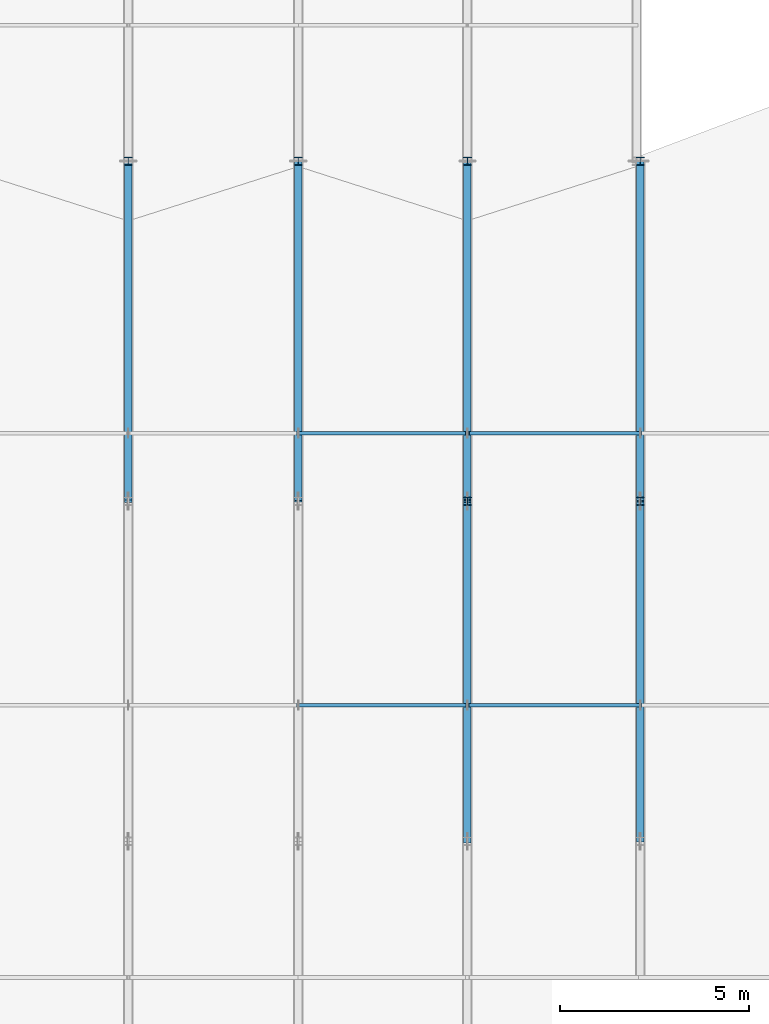
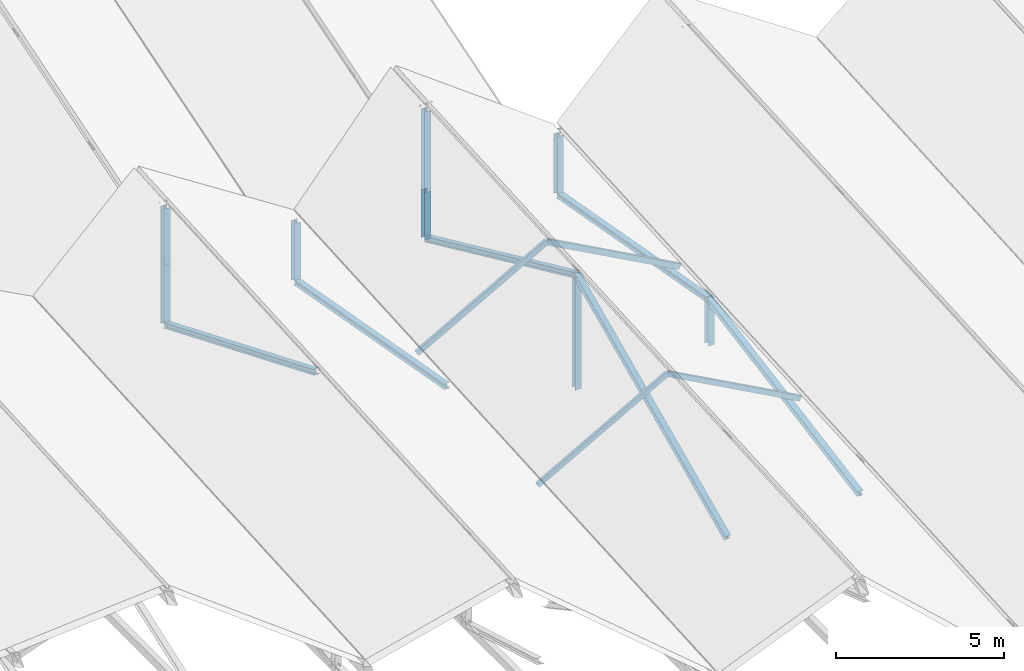
# One storey, part 65 of 142: 18 members.
"""IFC4 building model written with IfcOpenShell, lengths in metres."""

from ifc_helpers import new_model, si_unit, direction, frame, origin, origin_2d, place, context, subcontext, project, spatial, hollow_rectangle, i_section, extrude, material, material_profile, profile_set, type_object, element, save


model = new_model("IFC4")

# Units and contexts
model_context = context("Model", 3, precision=1e-05, world=origin(), true_north=direction((0.0, 1.0)))
body_context = subcontext(model_context, "Body", "Model", "MODEL_VIEW")
ifc_project = project(units=[si_unit("LENGTHUNIT", "METRE"), si_unit("AREAUNIT", "SQUARE_METRE"), si_unit("VOLUMEUNIT", "CUBIC_METRE"), si_unit("PLANEANGLEUNIT", "RADIAN"), si_unit("MASSUNIT", "GRAM", prefix="KILO")], contexts=[model_context])

# Site, building, storey
site_placement = place(None, origin())
site = spatial("IfcSite", under=ifc_project, at=site_placement, CompositionType="ELEMENT")
building_placement = place(site_placement, origin())
building = spatial("IfcBuilding", under=site, at=building_placement, Name="Montelvaro Courts of Justice", CompositionType="ELEMENT")
storey_placement = place(building_placement, frame((0.0, 0.0, 14.39990234375)))
storey = spatial("IfcBuildingStorey", under=building, at=storey_placement, Name="L03", CompositionType="ELEMENT", Elevation=14.39990234375)

# Members
ifc_material = material(Name="Steel S355", Category="steel")
ifc_material_profile_1 = material_profile(ifc_material, i_section(OverallWidth=0.199951171875, OverallDepth=0.18994140625, WebThickness=0.006591796875, FlangeThickness=0.010009765625, at=origin_2d()), Name="HEA 200")
ifc_profile_set_1 = profile_set([ifc_material_profile_1], Name="Steel S355")
member_type_1 = type_object("IfcMemberType", Name="Mem_HEA200_Brace", PredefinedType="BRACE", material=ifc_profile_set_1)
for number, where, z_axis, x_axis, name in (
    (1, (72.0, 69.0, 1.330078125), (0.0, 0.983994378641, -0.178199502816), (-1.0, 0.0, 0.0), "Roof Truss Web MB-02 ROOF-PASSAGE-VTR03-W4"),
    (2, (81.050048828125, 60.0, -0.2998046875), (0.0, 0.983994378641, 0.178199502816), (-1.0, 0.0, 0.0), "Roof Truss Web MB-02 ROOF-PASSAGE-VTR04-W3"),
    (3, (81.050048828125, 69.0, 1.330078125), (0.0, 0.983994378641, -0.178199502816), (-1.0, 0.0, 0.0), "Roof Truss Web MB-02 ROOF-PASSAGE-VTR04-W4"),
):
    element("IfcMember", number, at=place(storey_placement, frame(where, z_axis=z_axis, x_axis=x_axis)), inside=storey, type_object=member_type_1, Name=name, PredefinedType="BRACE", context=body_context, shape_type="SweptSolid", body=[
        extrude(i_section(OverallWidth=0.199951171875, OverallDepth=0.18994140625, WebThickness=0.006591796875, FlangeThickness=0.010009765625, at=origin_2d()), origin(), (0.0, 0.0, 1.0), 9.146484375),
    ])
member_1_placement = place(storey_placement, frame((67.5, 69.0, 3.43017578125), z_axis=(0.0, 0.923804814316, -0.38286376826), x_axis=(-1.0, 0.0, 0.0)))
element("IfcMember", 4, at=member_1_placement, inside=storey, type_object=member_type_1, Name="Roof Truss Web MB-02 ROOF-PASSAGE-RTR02-W4", PredefinedType="BRACE", context=body_context, shape_type="SweptSolid", body=[
    extrude(i_section(OverallWidth=0.199951171875, OverallDepth=0.18994140625, WebThickness=0.006591796875, FlangeThickness=0.010009765625, at=origin_2d()), origin(), (0.0, 0.0, 1.0), 9.742431640625),
])
for number, where, z_axis, x_axis, name in (
    (5, (76.47509765625, 60.0, -0.2998046875), (0.0, 0.908877962792, 0.417062164133), (-1.0, 0.0, 0.0), "Roof Truss Web MB-02 ROOF-PASSAGE-RTR03-W3"),
    (6, (76.47509765625, 69.0, 3.830078125), (0.0, 0.908877962792, -0.417062164133), (-1.0, 0.0, 0.0), "Roof Truss Web MB-02 ROOF-PASSAGE-RTR03-W4"),
):
    element("IfcMember", number, at=place(storey_placement, frame(where, z_axis=z_axis, x_axis=x_axis)), inside=storey, type_object=member_type_1, Name=name, PredefinedType="BRACE", context=body_context, shape_type="SweptSolid", body=[
        extrude(i_section(OverallWidth=0.199951171875, OverallDepth=0.18994140625, WebThickness=0.006591796875, FlangeThickness=0.010009765625, at=origin_2d()), origin(), (0.0, 0.0, 1.0), 9.90234375),
    ])
ifc_material_profile_2 = material_profile(ifc_material, i_section(OverallWidth=0.219970703125, OverallDepth=0.2099609375, WebThickness=0.007080078125, FlangeThickness=0.010986328125, at=origin_2d()), Name="HEA 220")
ifc_profile_set_2 = profile_set([ifc_material_profile_2], Name="Steel S355")
member_type_2 = type_object("IfcMemberType", Name="Mem_HEA220_Post", PredefinedType="POST", material=ifc_profile_set_2)
member_2_placement = place(storey_placement, frame((67.5, 78.0, -0.2998046875), z_axis=(0.0, 0.0, 1.0), x_axis=(1.0, 0.0, 0.0)))
element("IfcMember", 7, at=member_2_placement, inside=storey, type_object=member_type_2, Name="Roof Truss Post MP-03 ROOF-V1-RTR06-V0", PredefinedType="POST", context=body_context, shape_type="SweptSolid", body=[
    extrude(i_section(OverallWidth=0.219970703125, OverallDepth=0.2099609375, WebThickness=0.007080078125, FlangeThickness=0.010986328125, at=origin_2d()), origin(), (0.0, 0.0, 1.0), 2.22998046875),
])
member_3_placement = place(storey_placement, frame((76.47509765625, 78.0, -0.2998046875), z_axis=(0.0, 0.0, 1.0), x_axis=(1.0, 0.0, 0.0)))
element("IfcMember", 8, at=member_3_placement, inside=storey, type_object=member_type_2, Name="Roof Truss Post MP-03 ROOF-V1-RTR07-V0", PredefinedType="POST", context=body_context, shape_type="SweptSolid", body=[
    extrude(i_section(OverallWidth=0.219970703125, OverallDepth=0.2099609375, WebThickness=0.007080078125, FlangeThickness=0.010986328125, at=origin_2d()), origin(), (0.0, 0.0, 1.0), 1.72998046875),
])
member_4_placement = place(storey_placement, frame((72.0, 78.0, -0.2998046875), z_axis=(0.0, 0.0, 1.0), x_axis=(1.0, 0.0, 0.0)))
element("IfcMember", 9, at=member_4_placement, inside=storey, type_object=member_type_2, Name="Roof Truss Post MP-03 ROOF-PASSAGE-VTR03-V4", PredefinedType="POST", context=body_context, shape_type="SweptSolid", body=[
    extrude(i_section(OverallWidth=0.219970703125, OverallDepth=0.2099609375, WebThickness=0.007080078125, FlangeThickness=0.010986328125, at=origin_2d()), origin(), (0.0, 0.0, 1.0), 2.179931640625),
])
member_5_placement = place(storey_placement, frame((81.050048828125, 69.0, -0.2998046875), z_axis=(0.0, 0.0, 1.0), x_axis=(1.0, 0.0, 0.0)))
element("IfcMember", 10, at=member_5_placement, inside=storey, type_object=member_type_2, Name="Roof Truss Post MP-03 ROOF-PASSAGE-VTR04-V3", PredefinedType="POST", context=body_context, shape_type="SweptSolid", body=[
    extrude(i_section(OverallWidth=0.219970703125, OverallDepth=0.2099609375, WebThickness=0.007080078125, FlangeThickness=0.010986328125, at=origin_2d()), origin(), (0.0, 0.0, 1.0), 1.6298828125),
])
member_6_placement = place(storey_placement, frame((81.050048828125, 78.0, -0.2998046875), z_axis=(0.0, 0.0, 1.0), x_axis=(1.0, 0.0, 0.0)))
element("IfcMember", 11, at=member_6_placement, inside=storey, type_object=member_type_2, Name="Roof Truss Post MP-03 ROOF-PASSAGE-VTR04-V4", PredefinedType="POST", context=body_context, shape_type="SweptSolid", body=[
    extrude(i_section(OverallWidth=0.219970703125, OverallDepth=0.2099609375, WebThickness=0.007080078125, FlangeThickness=0.010986328125, at=origin_2d()), origin(), (0.0, 0.0, 1.0), 2.179931640625),
])
member_7_placement = place(storey_placement, frame((67.5, 78.0, -0.2998046875), z_axis=(0.0, 0.0, 1.0), x_axis=(1.0, 0.0, 0.0)))
element("IfcMember", 12, at=member_7_placement, inside=storey, type_object=member_type_2, Name="Roof Truss Post MP-03 ROOF-PASSAGE-RTR02-V4", PredefinedType="POST", context=body_context, shape_type="SweptSolid", body=[
    extrude(i_section(OverallWidth=0.219970703125, OverallDepth=0.2099609375, WebThickness=0.007080078125, FlangeThickness=0.010986328125, at=origin_2d()), origin(), (0.0, 0.0, 1.0), 4.27978515625),
])
member_8_placement = place(storey_placement, frame((76.47509765625, 69.0, -0.2998046875), z_axis=(0.0, 0.0, 1.0), x_axis=(1.0, 0.0, 0.0)))
element("IfcMember", 13, at=member_8_placement, inside=storey, type_object=member_type_2, Name="Roof Truss Post MP-03 ROOF-PASSAGE-RTR03-V3", PredefinedType="POST", context=body_context, shape_type="SweptSolid", body=[
    extrude(i_section(OverallWidth=0.219970703125, OverallDepth=0.2099609375, WebThickness=0.007080078125, FlangeThickness=0.010986328125, at=origin_2d()), origin(), (0.0, 0.0, 1.0), 4.1298828125),
])
member_9_placement = place(storey_placement, frame((76.47509765625, 78.0, -0.2998046875), z_axis=(0.0, 0.0, 1.0), x_axis=(1.0, 0.0, 0.0)))
element("IfcMember", 14, at=member_9_placement, inside=storey, type_object=member_type_2, Name="Roof Truss Post MP-03 ROOF-PASSAGE-RTR03-V4", PredefinedType="POST", context=body_context, shape_type="SweptSolid", body=[
    extrude(i_section(OverallWidth=0.219970703125, OverallDepth=0.2099609375, WebThickness=0.007080078125, FlangeThickness=0.010986328125, at=origin_2d()), origin(), (0.0, 0.0, 1.0), 4.679931640625),
])
ifc_material_profile_3 = material_profile(ifc_material, hollow_rectangle(XDim=0.10009765625, YDim=0.179931640625, WallThickness=0.008056640625, at=origin_2d()), Name="RHS 180x100x8")
ifc_profile_set_3 = profile_set([ifc_material_profile_3], Name="Steel S355")
member_type_3 = type_object("IfcMemberType", Name="Mem_RHS180_Purlin", PredefinedType="PURLIN", material=ifc_profile_set_3)
member_10_placement = place(storey_placement, frame((72.0, 63.60009765625, 1.0), z_axis=(0.873009091336, 0.0, 0.487703933185), x_axis=(0.0, 1.0, 0.0)))
element("IfcMember", 15, at=member_10_placement, inside=storey, type_object=member_type_3, Name="Roof Purlin MR-03 ROOF-PASSAGE-PRL-03-3L", PredefinedType="PURLIN", context=body_context, shape_type="SweptSolid", body=[
    extrude(hollow_rectangle(XDim=0.10009765625, YDim=0.179931640625, WallThickness=0.008056640625, at=origin_2d()), origin(), (0.0, 0.0, 1.0), 5.1259765625),
])
member_11_placement = place(storey_placement, frame((76.47509765625, 63.60009765625, 3.5), z_axis=(0.877526647045, 0.0, -0.47952787586), x_axis=(0.0, 1.0, 0.0)))
element("IfcMember", 16, at=member_11_placement, inside=storey, type_object=member_type_3, Name="Roof Purlin MR-03 ROOF-PASSAGE-PRL-03-3R", PredefinedType="PURLIN", context=body_context, shape_type="SweptSolid", body=[
    extrude(hollow_rectangle(XDim=0.10009765625, YDim=0.179931640625, WallThickness=0.008056640625, at=origin_2d()), origin(), (0.0, 0.0, 1.0), 5.21337890625),
])
ifc_material_profile_4 = material_profile(ifc_material, hollow_rectangle(XDim=0.10009765625, YDim=0.199951171875, WallThickness=0.008056640625, at=origin_2d()), Name="RHS 200x100x8")
ifc_profile_set_4 = profile_set([ifc_material_profile_4], Name="Steel S355")
member_type_4 = type_object("IfcMemberType", Name="Mem_RHS200_Purlin", PredefinedType="PURLIN", material=ifc_profile_set_4)
member_12_placement = place(storey_placement, frame((72.0, 70.800048828125, 1.440185546875), z_axis=(0.873009091336, 0.0, 0.487703933185), x_axis=(0.0, 1.0, 0.0)))
element("IfcMember", 17, at=member_12_placement, inside=storey, type_object=member_type_4, Name="Roof Purlin MR-04 ROOF-PASSAGE-PRL-03-4L", PredefinedType="PURLIN", context=body_context, shape_type="SweptSolid", body=[
    extrude(hollow_rectangle(XDim=0.10009765625, YDim=0.199951171875, WallThickness=0.008056640625, at=origin_2d()), origin(), (0.0, 0.0, 1.0), 5.1259765625),
])
member_13_placement = place(storey_placement, frame((76.47509765625, 70.800048828125, 3.940185546875), z_axis=(0.877526647045, 0.0, -0.47952787586), x_axis=(0.0, 1.0, 0.0)))
element("IfcMember", 18, at=member_13_placement, inside=storey, type_object=member_type_4, Name="Roof Purlin MR-04 ROOF-PASSAGE-PRL-03-4R", PredefinedType="PURLIN", context=body_context, shape_type="SweptSolid", body=[
    extrude(hollow_rectangle(XDim=0.10009765625, YDim=0.199951171875, WallThickness=0.008056640625, at=origin_2d()), origin(), (0.0, 0.0, 1.0), 5.21337890625),
])

save(model, "model.ifc")
